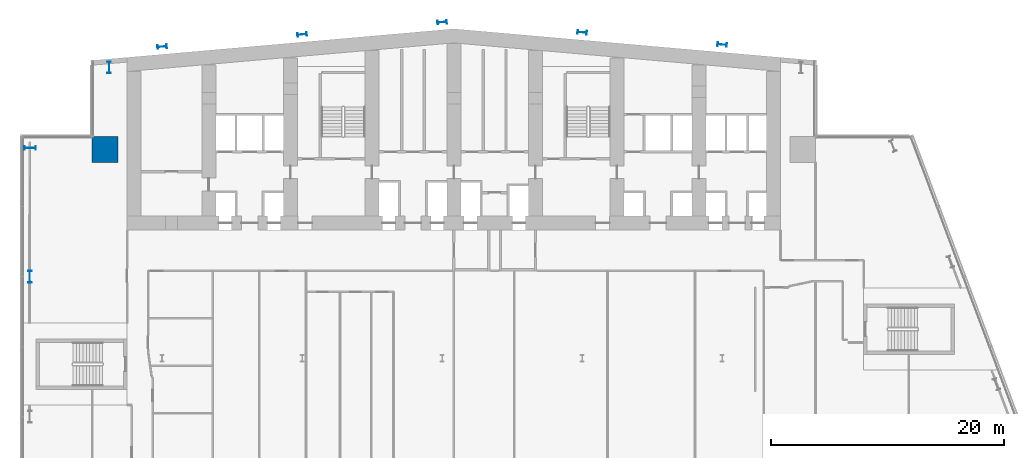
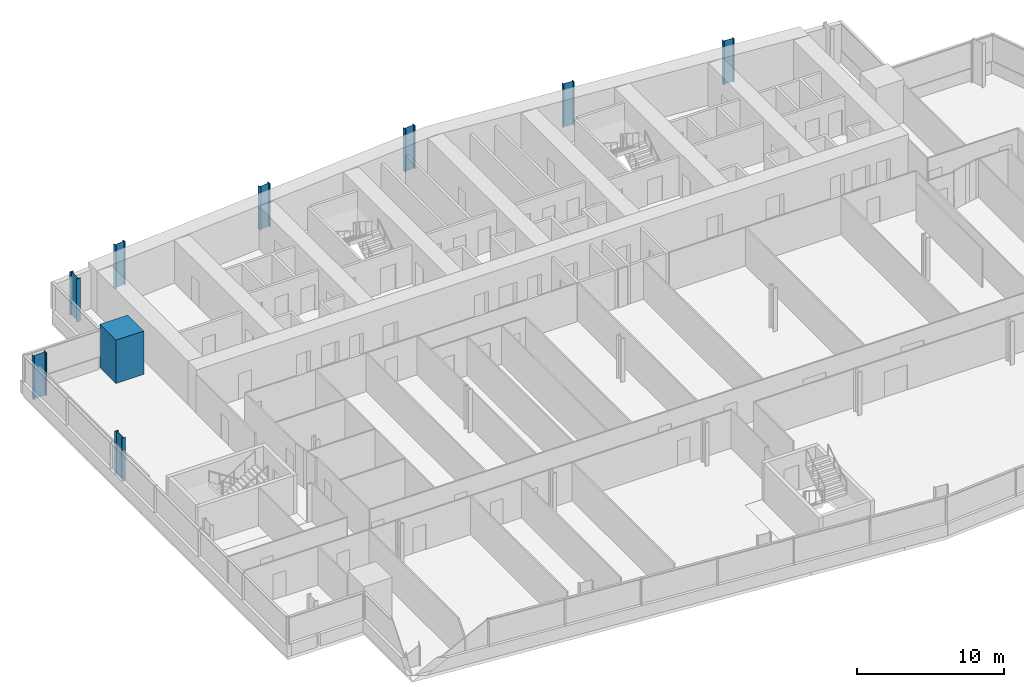
# One storey, part 2 of 24: 9 columns.
"""IFC4 building model written with IfcOpenShell, lengths in metres."""

from ifc_helpers import new_model, si_unit, direction, frame, origin, origin_2d, place, context, subcontext, project, spatial, rectangle, i_section, extrude, material, material_profile, profile_set, type_object, element, save


model = new_model("IFC4")

# Units and contexts
model_context = context("Model", 3, precision=1e-05, world=origin(), true_north=direction((0.0, 1.0)))
body_context = subcontext(model_context, "Body", "Model", "MODEL_VIEW")
ifc_project = project(units=[si_unit("LENGTHUNIT", "METRE"), si_unit("AREAUNIT", "SQUARE_METRE"), si_unit("VOLUMEUNIT", "CUBIC_METRE"), si_unit("PLANEANGLEUNIT", "RADIAN"), si_unit("MASSUNIT", "GRAM", prefix="KILO")], contexts=[model_context])

# Site, building, storey
site_placement = place(None, origin())
site = spatial("IfcSite", under=ifc_project, at=site_placement, CompositionType="ELEMENT")
building_placement = place(site_placement, origin())
building = spatial("IfcBuilding", under=site, at=building_placement, Name="Wharfspan Tower", CompositionType="ELEMENT")
storey_placement = place(building_placement, frame((0.0, 0.0, 41.5)))
storey = spatial("IfcBuildingStorey", under=building, at=storey_placement, Name="L06", CompositionType="ELEMENT", Elevation=41.5)

# Columns
ifc_material_1 = material(Name="Steel S355J2", Category="steel")
ifc_material_profile_1 = material_profile(ifc_material_1, i_section(OverallWidth=0.302002, OverallDepth=1.008057, WebThickness=0.020996, FlangeThickness=0.040039, FilletRadius=0.030029, at=origin_2d()))
ifc_profile_set_1 = profile_set([ifc_material_profile_1], Name="Steel S355J2")
column_type_1 = type_object("IfcColumnType", Name="Column HEM 1000", PredefinedType="COLUMN", material=ifc_profile_set_1)
for number, where, z_axis, x_axis, name in (
    (1, (7.466553, 47.933594, 0.0), (0.0, 0.0, 1.0), (-1.0, 0.0, 0.0), "Perimeter column PNRW-V.1 L06"),
    (2, (0.684814, 41.03418, 0.0), (0.0, 0.0, 1.0), (0.0, 1.0, 0.0), "Perimeter column PNRW-H.1 L06"),
    (3, (0.659912, 30.0, 0.0), (0.0, 0.0, 1.0), (-1.0, 0.0, 0.0), "Perimeter column PW.1 L06"),
):
    element("IfcColumn", number, at=place(storey_placement, frame(where, z_axis=z_axis, x_axis=x_axis)), inside=storey, type_object=column_type_1, Name=name, PredefinedType="COLUMN", context=body_context, shape_type="SweptSolid", body=[
        extrude(i_section(OverallWidth=0.302002, OverallDepth=1.008057, WebThickness=0.020996, FlangeThickness=0.040039, FilletRadius=0.030029, at=origin_2d()), origin(), (0.0, 0.0, 1.0), 3.600098),
    ])
ifc_material_profile_2 = material_profile(ifc_material_1, i_section(OverallWidth=0.302979, OverallDepth=0.813965, WebThickness=0.020996, FlangeThickness=0.040039, FilletRadius=0.030029, at=origin_2d()))
ifc_profile_set_2 = profile_set([ifc_material_profile_2], Name="Steel S355J2")
column_type_2 = type_object("IfcColumnType", Name="Column HEM 800", PredefinedType="COLUMN", material=ifc_profile_set_2)
for number, where, z_axis, x_axis, name in (
    (4, (12.0, 49.709961, 0.0), (0.0, 0.0, 1.0), (-0.087156, 0.996197, 0.0), "Rear column R.1 L06"),
    (5, (24.0, 50.759766, 0.0), (0.0, 0.0, 1.0), (-0.087156, 0.996197, 0.0), "Rear column R.2 L06"),
    (6, (36.0, 51.80957, 0.0), (0.0, 0.0, 1.0), (-0.087156, 0.996197, 0.0), "Rear column R.3 L06"),
    (7, (48.0, 50.934814, 0.0), (0.0, 0.0, 1.0), (0.087156, 0.996197, 0.0), "Rear column R.4 L06"),
    (8, (60.0, 49.884766, 0.0), (0.0, 0.0, 1.0), (0.087156, 0.996197, 0.0), "Rear column R.5 L06"),
):
    element("IfcColumn", number, at=place(storey_placement, frame(where, z_axis=z_axis, x_axis=x_axis)), inside=storey, type_object=column_type_2, Name=name, PredefinedType="COLUMN", context=body_context, shape_type="SweptSolid", body=[
        extrude(i_section(OverallWidth=0.302979, OverallDepth=0.813965, WebThickness=0.020996, FlangeThickness=0.040039, FilletRadius=0.030029, at=origin_2d()), origin(), (0.0, 0.0, 1.0), 3.600098),
    ])
ifc_material_2 = material(Name="Concrete C70/85", Category="concrete")
ifc_material_profile_3 = material_profile(ifc_material_2, rectangle(XDim=2.199951, YDim=2.199951, at=origin_2d()))
ifc_profile_set_3 = profile_set([ifc_material_profile_3], Name="Concrete C70/85")
column_type_3 = type_object("IfcColumnType", Name="Mega column 2200 C70/85", PredefinedType="COLUMN", material=ifc_profile_set_3)
column_placement = place(storey_placement, frame((7.100098, 40.899902, 0.0), z_axis=(0.0, 0.0, 1.0), x_axis=(1.0, 0.0, 0.0)))
element("IfcColumn", 9, at=column_placement, inside=storey, type_object=column_type_3, Name="Mega column MC2 L06", PredefinedType="COLUMN", context=body_context, shape_type="SweptSolid", body=[
    extrude(rectangle(XDim=2.199951, YDim=2.199951, at=origin_2d()), origin(), (0.0, 0.0, 1.0), 3.600098),
])

save(model, "model.ifc")
